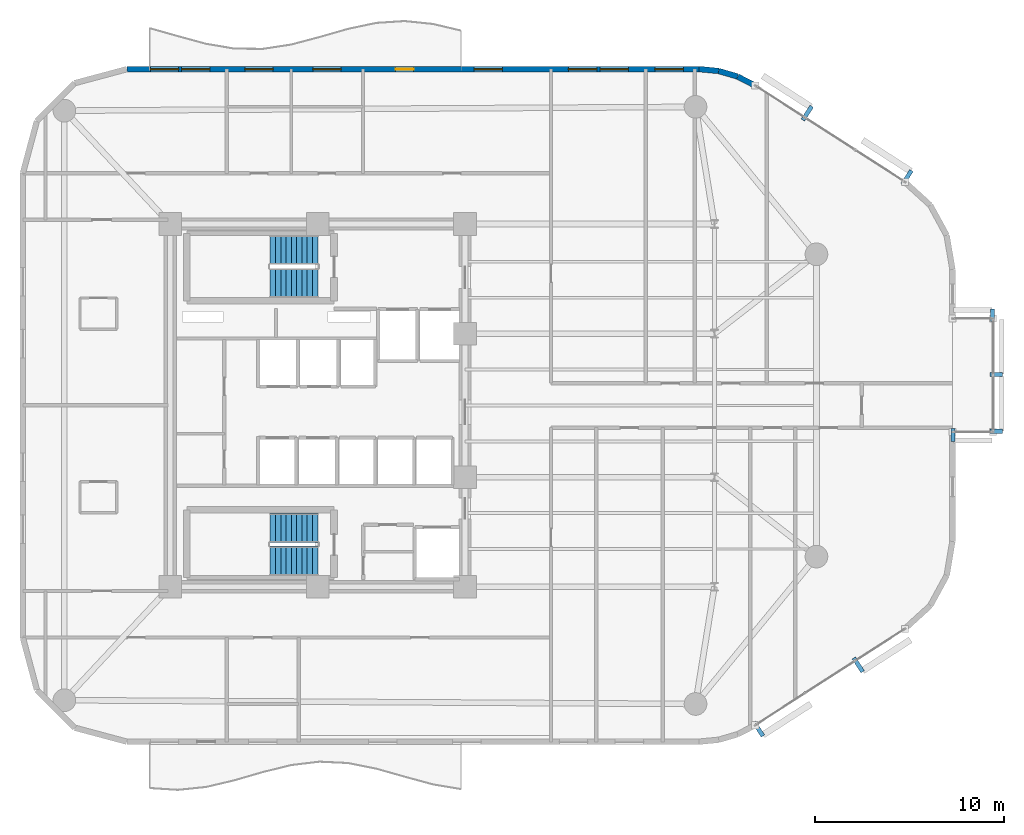
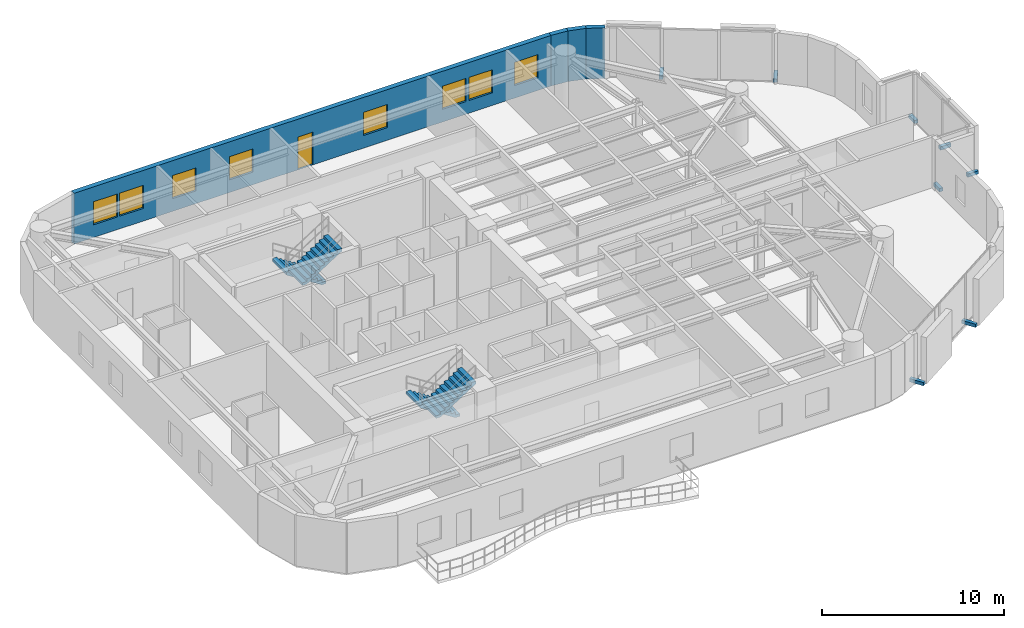
# One storey, part 11 of 13: 8 discrete accessories, 8 windows, 4 stair flights, 4 walls, 1 door, 9 openings, 2 elements without a shape of their own.
"""IFC4 building model written with IfcOpenShell, lengths in metres."""

from ifc_helpers import new_model, si_unit, direction, frame, frame_2d, origin, origin_2d, place, context, subcontext, project, spatial, polyline, rectangle, outline, extrude, material, layer, layer_set, type_object, element, fill, aggregate, save


model = new_model("IFC4")

# Units and contexts
model_context = context("Model", 3, precision=1e-05, world=origin(), true_north=direction((0.0, 1.0)))
body_context = subcontext(model_context, "Body", "Model", "MODEL_VIEW")
ifc_project = project(units=[si_unit("LENGTHUNIT", "METRE"), si_unit("AREAUNIT", "SQUARE_METRE"), si_unit("VOLUMEUNIT", "CUBIC_METRE"), si_unit("PLANEANGLEUNIT", "RADIAN"), si_unit("MASSUNIT", "GRAM", prefix="KILO")], contexts=[model_context])

# Site, building, storey
site_placement = place(None, origin())
site = spatial("IfcSite", under=ifc_project, at=site_placement, CompositionType="ELEMENT")
building_placement = place(site_placement, origin())
building = spatial("IfcBuilding", under=site, at=building_placement, Name="An Khanh Terracotta Commons", CompositionType="ELEMENT")
storey_placement = place(building_placement, frame((0.0, 0.0, 183.39990234375)))
storey = spatial("IfcBuildingStorey", under=building, at=storey_placement, Name="L48", CompositionType="ELEMENT", Elevation=183.39990234375)

# Walls
ifc_material_1 = material(Name="Precast concrete C40/50", Category="concrete")
ifc_layer = layer(ifc_material_1, 0.300048828125, Name="Precast concrete C40/50")
ifc_layer_set = layer_set([ifc_layer], Name="Precast concrete C40/50")
wall_type = type_object("IfcWallType", Name="WALL-EXT-300", PredefinedType="SOLIDWALL", material=ifc_layer_set)
wall_1_placement = place(storey_placement, frame((52.56005859375, 40.924072265625, 0.0), z_axis=(0.0, 0.0, 1.0), x_axis=(-0.888283247196, 0.459296062198, 0.0)))
element("IfcWall", 1, at=wall_1_placement, inside=storey, type_object=wall_type, Name="L48 Insulated Terracotta Exterior Wall 17", PredefinedType="SOLIDWALL", context=body_context, shape_type="SweptSolid", body=[
    extrude(rectangle(XDim=1.047119140625, YDim=0.300048828125, at=frame_2d((0.5234375, 0.0))), origin(), (0.0, 0.0, 1.0), 3.400146484375),
])
wall_2_placement = place(storey_placement, frame((51.6298828125, 41.405029296875, 0.0), z_axis=(0.0, 0.0, 1.0), x_axis=(-0.959528674476, 0.281610942363, 0.0)))
element("IfcWall", 2, at=wall_2_placement, inside=storey, type_object=wall_type, Name="L48 Insulated Terracotta Exterior Wall 18", PredefinedType="SOLIDWALL", context=body_context, shape_type="SweptSolid", body=[
    extrude(rectangle(XDim=1.04736328125, YDim=0.300048828125, at=frame_2d((0.523681640625, 0.0))), origin(), (0.0, 0.0, 1.0), 3.400146484375),
])
wall_3_placement = place(storey_placement, frame((50.625, 41.699951171875, 0.0), z_axis=(0.0, 0.0, 1.0), x_axis=(-0.995426089968, 0.095534807324, 0.0)))
element("IfcWall", 3, at=wall_3_placement, inside=storey, type_object=wall_type, Name="L48 Insulated Terracotta Exterior Wall 19", PredefinedType="SOLIDWALL", context=body_context, shape_type="SweptSolid", body=[
    extrude(rectangle(XDim=1.0478515625, YDim=0.300048828125, at=frame_2d((0.52392578125, 0.0))), origin(), (0.0, 0.0, 1.0), 3.400146484375),
])

# Wall, openings, door, windows
wall_4_placement = place(storey_placement, frame((49.58203125, 41.800048828125, 0.0), z_axis=(0.0, 0.0, 1.0), x_axis=(-1.0, 0.0, 0.0)))
wall_4 = element("IfcWall", 4, at=wall_4_placement, inside=storey, type_object=wall_type, Name="L48 Insulated Terracotta Exterior Wall 20", PredefinedType="SOLIDWALL", context=body_context, shape_type="SweptSolid", body=[
    extrude(rectangle(XDim=30.281982421875, YDim=0.300048828125, at=frame_2d((15.14111328125, 0.0))), origin(), (0.0, 0.0, 1.0), 3.400146484375),
])
opening_1_placement = place(wall_4_placement, frame((15.10693359375, 0.0, 0.0)))
opening_1 = element("IfcOpeningElement", 5, at=opening_1_placement, cuts=wall_4, Name="Opening D-BAL", PredefinedType="OPENING", context=body_context, shape_type="SweptSolid", body=[
    extrude(rectangle(XDim=0.949951171875, YDim=2.199951171875, at=frame_2d((0.47509765625, 1.10009765625))), frame((0.0, 0.159912109375, 0.0), z_axis=(0.0, -1.0, 0.0), x_axis=(1.0, 0.0, 0.0)), (0.0, 0.0, 1.0), 0.320068359375),
])
opening_2_placement = place(wall_4_placement, frame((0.827880859375, 0.0, 0.85009765625)))
opening_2 = element("IfcOpeningElement", 6, at=opening_2_placement, cuts=wall_4, Name="Opening W-03", PredefinedType="OPENING", context=body_context, shape_type="SweptSolid", body=[
    extrude(rectangle(XDim=1.5, YDim=1.550048828125, at=frame_2d((0.75, 0.77490234375))), frame((0.0, 0.159912109375, 0.0), z_axis=(0.0, -1.0, 0.0), x_axis=(1.0, 0.0, 0.0)), (0.0, 0.0, 1.0), 0.320068359375),
])
opening_3_placement = place(wall_4_placement, frame((3.73095703125, 0.0, 0.85009765625)))
opening_3 = element("IfcOpeningElement", 7, at=opening_3_placement, cuts=wall_4, Name="Opening W-03", PredefinedType="OPENING", context=body_context, shape_type="SweptSolid", body=[
    extrude(rectangle(XDim=1.5, YDim=1.550048828125, at=frame_2d((0.75, 0.77490234375))), frame((0.0, 0.159912109375, 0.0), z_axis=(0.0, -1.0, 0.0), x_axis=(1.0, 0.0, 0.0)), (0.0, 0.0, 1.0), 0.320068359375),
])
opening_4_placement = place(wall_4_placement, frame((5.406982421875, 0.0, 0.85009765625)))
opening_4 = element("IfcOpeningElement", 8, at=opening_4_placement, cuts=wall_4, Name="Opening W-03", PredefinedType="OPENING", context=body_context, shape_type="SweptSolid", body=[
    extrude(rectangle(XDim=1.5, YDim=1.550048828125, at=frame_2d((0.75, 0.77490234375))), frame((0.0, 0.159912109375, 0.0), z_axis=(0.0, -1.0, 0.0), x_axis=(1.0, 0.0, 0.0)), (0.0, 0.0, 1.0), 0.320068359375),
])
opening_5_placement = place(wall_4_placement, frame((10.39892578125, 0.0, 0.85009765625)))
opening_5 = element("IfcOpeningElement", 9, at=opening_5_placement, cuts=wall_4, Name="Opening W-03", PredefinedType="OPENING", context=body_context, shape_type="SweptSolid", body=[
    extrude(rectangle(XDim=1.5, YDim=1.550048828125, at=frame_2d((0.75, 0.77490234375))), frame((0.0, 0.159912109375, 0.0), z_axis=(0.0, -1.0, 0.0), x_axis=(1.0, 0.0, 0.0)), (0.0, 0.0, 1.0), 0.320068359375),
])
opening_6_placement = place(wall_4_placement, frame((18.931884765625, 0.0, 0.85009765625)))
opening_6 = element("IfcOpeningElement", 10, at=opening_6_placement, cuts=wall_4, Name="Opening W-03", PredefinedType="OPENING", context=body_context, shape_type="SweptSolid", body=[
    extrude(rectangle(XDim=1.5, YDim=1.550048828125, at=frame_2d((0.75, 0.77490234375))), frame((0.0, 0.159912109375, 0.0), z_axis=(0.0, -1.0, 0.0), x_axis=(1.0, 0.0, 0.0)), (0.0, 0.0, 1.0), 0.320068359375),
])
opening_7_placement = place(wall_4_placement, frame((22.531982421875, 0.0, 0.85009765625)))
opening_7 = element("IfcOpeningElement", 11, at=opening_7_placement, cuts=wall_4, Name="Opening W-03", PredefinedType="OPENING", context=body_context, shape_type="SweptSolid", body=[
    extrude(rectangle(XDim=1.5, YDim=1.550048828125, at=frame_2d((0.75, 0.77490234375))), frame((0.0, 0.159912109375, 0.0), z_axis=(0.0, -1.0, 0.0), x_axis=(1.0, 0.0, 0.0)), (0.0, 0.0, 1.0), 0.320068359375),
])
opening_8_placement = place(wall_4_placement, frame((25.882080078125, 0.0, 0.85009765625)))
opening_8 = element("IfcOpeningElement", 12, at=opening_8_placement, cuts=wall_4, Name="Opening W-03", PredefinedType="OPENING", context=body_context, shape_type="SweptSolid", body=[
    extrude(rectangle(XDim=1.5, YDim=1.550048828125, at=frame_2d((0.75, 0.77490234375))), frame((0.0, 0.159912109375, 0.0), z_axis=(0.0, -1.0, 0.0), x_axis=(1.0, 0.0, 0.0)), (0.0, 0.0, 1.0), 0.320068359375),
])
opening_9_placement = place(wall_4_placement, frame((27.531982421875, 0.0, 0.85009765625)))
opening_9 = element("IfcOpeningElement", 13, at=opening_9_placement, cuts=wall_4, Name="Opening W-03", PredefinedType="OPENING", context=body_context, shape_type="SweptSolid", body=[
    extrude(rectangle(XDim=1.5, YDim=1.550048828125, at=frame_2d((0.75, 0.77490234375))), frame((0.0, 0.159912109375, 0.0), z_axis=(0.0, -1.0, 0.0), x_axis=(1.0, 0.0, 0.0)), (0.0, 0.0, 1.0), 0.320068359375),
])
ifc_material_2 = material(Name="Thermally Broken Aluminium and Low-E Glass", Category="aluminium")
door_type = type_object("IfcDoorType", Name="DOOR-BALC-950", OperationType="NOTDEFINED", PredefinedType="DOOR", material=ifc_material_2)
door_placement = place(opening_1_placement, origin())
door = element("IfcDoor", 14, at=door_placement, inside=storey, type_object=door_type, Name="L48 N Wave Balcony Glazed Door", OperationType="SINGLE_SWING_RIGHT", OverallHeight=2.199951171875, OverallWidth=0.949951171875, PredefinedType="DOOR", context=body_context, shape_type="SweptSolid", body=[
    extrude(rectangle(XDim=0.949951171875, YDim=2.199951171875, at=frame_2d((0.47509765625, 1.10009765625))), frame((0.0, 0.02490234375, 0.0), z_axis=(0.0, -1.0, 0.0), x_axis=(1.0, 0.0, 0.0)), (0.0, 0.0, 1.0), 0.050048828125),
])
fill(opening_1, door)
window_type = type_object("IfcWindowType", Name="WIN-Z3-1500x1550", PartitioningType="DOUBLE_PANEL_VERTICAL", PredefinedType="WINDOW", material=ifc_material_2)
window_1_placement = place(opening_2_placement, origin())
window_1 = element("IfcWindow", 15, at=window_1_placement, inside=storey, type_object=window_type, Name="L48 Operable Casement Window 20.1", OverallHeight=1.550048828125, OverallWidth=1.5, PartitioningType="DOUBLE_PANEL_VERTICAL", PredefinedType="WINDOW", context=body_context, shape_type="SweptSolid", body=[
    extrude(rectangle(XDim=1.5, YDim=1.550048828125, at=frame_2d((0.75, 0.77490234375))), frame((0.0, 0.030029296875, 0.0), z_axis=(0.0, -1.0, 0.0), x_axis=(1.0, 0.0, 0.0)), (0.0, 0.0, 1.0), 0.06005859375),
])
fill(opening_2, window_1)
window_2_placement = place(opening_3_placement, origin())
window_2 = element("IfcWindow", 16, at=window_2_placement, inside=storey, type_object=window_type, Name="L48 Operable Casement Window 20.2", OverallHeight=1.550048828125, OverallWidth=1.5, PartitioningType="DOUBLE_PANEL_VERTICAL", PredefinedType="WINDOW", context=body_context, shape_type="SweptSolid", body=[
    extrude(rectangle(XDim=1.5, YDim=1.550048828125, at=frame_2d((0.75, 0.77490234375))), frame((0.0, 0.030029296875, 0.0), z_axis=(0.0, -1.0, 0.0), x_axis=(1.0, 0.0, 0.0)), (0.0, 0.0, 1.0), 0.06005859375),
])
fill(opening_3, window_2)
window_3_placement = place(opening_4_placement, origin())
window_3 = element("IfcWindow", 17, at=window_3_placement, inside=storey, type_object=window_type, Name="L48 Operable Casement Window 20.3", OverallHeight=1.550048828125, OverallWidth=1.5, PartitioningType="DOUBLE_PANEL_VERTICAL", PredefinedType="WINDOW", context=body_context, shape_type="SweptSolid", body=[
    extrude(rectangle(XDim=1.5, YDim=1.550048828125, at=frame_2d((0.75, 0.77490234375))), frame((0.0, 0.030029296875, 0.0), z_axis=(0.0, -1.0, 0.0), x_axis=(1.0, 0.0, 0.0)), (0.0, 0.0, 1.0), 0.06005859375),
])
fill(opening_4, window_3)
window_4_placement = place(opening_5_placement, origin())
window_4 = element("IfcWindow", 18, at=window_4_placement, inside=storey, type_object=window_type, Name="L48 Operable Casement Window 20.4", OverallHeight=1.550048828125, OverallWidth=1.5, PartitioningType="DOUBLE_PANEL_VERTICAL", PredefinedType="WINDOW", context=body_context, shape_type="SweptSolid", body=[
    extrude(rectangle(XDim=1.5, YDim=1.550048828125, at=frame_2d((0.75, 0.77490234375))), frame((0.0, 0.030029296875, 0.0), z_axis=(0.0, -1.0, 0.0), x_axis=(1.0, 0.0, 0.0)), (0.0, 0.0, 1.0), 0.06005859375),
])
fill(opening_5, window_4)
window_5_placement = place(opening_6_placement, origin())
window_5 = element("IfcWindow", 19, at=window_5_placement, inside=storey, type_object=window_type, Name="L48 Operable Casement Window 20.5", OverallHeight=1.550048828125, OverallWidth=1.5, PartitioningType="DOUBLE_PANEL_VERTICAL", PredefinedType="WINDOW", context=body_context, shape_type="SweptSolid", body=[
    extrude(rectangle(XDim=1.5, YDim=1.550048828125, at=frame_2d((0.75, 0.77490234375))), frame((0.0, 0.030029296875, 0.0), z_axis=(0.0, -1.0, 0.0), x_axis=(1.0, 0.0, 0.0)), (0.0, 0.0, 1.0), 0.06005859375),
])
fill(opening_6, window_5)
window_6_placement = place(opening_7_placement, origin())
window_6 = element("IfcWindow", 20, at=window_6_placement, inside=storey, type_object=window_type, Name="L48 Operable Casement Window 20.6", OverallHeight=1.550048828125, OverallWidth=1.5, PartitioningType="DOUBLE_PANEL_VERTICAL", PredefinedType="WINDOW", context=body_context, shape_type="SweptSolid", body=[
    extrude(rectangle(XDim=1.5, YDim=1.550048828125, at=frame_2d((0.75, 0.77490234375))), frame((0.0, 0.030029296875, 0.0), z_axis=(0.0, -1.0, 0.0), x_axis=(1.0, 0.0, 0.0)), (0.0, 0.0, 1.0), 0.06005859375),
])
fill(opening_7, window_6)
window_7_placement = place(opening_8_placement, origin())
window_7 = element("IfcWindow", 21, at=window_7_placement, inside=storey, type_object=window_type, Name="L48 Operable Casement Window 20.7", OverallHeight=1.550048828125, OverallWidth=1.5, PartitioningType="DOUBLE_PANEL_VERTICAL", PredefinedType="WINDOW", context=body_context, shape_type="SweptSolid", body=[
    extrude(rectangle(XDim=1.5, YDim=1.550048828125, at=frame_2d((0.75, 0.77490234375))), frame((0.0, 0.030029296875, 0.0), z_axis=(0.0, -1.0, 0.0), x_axis=(1.0, 0.0, 0.0)), (0.0, 0.0, 1.0), 0.06005859375),
])
fill(opening_8, window_7)
window_8_placement = place(opening_9_placement, origin())
window_8 = element("IfcWindow", 22, at=window_8_placement, inside=storey, type_object=window_type, Name="L48 Operable Casement Window 20.8", OverallHeight=1.550048828125, OverallWidth=1.5, PartitioningType="DOUBLE_PANEL_VERTICAL", PredefinedType="WINDOW", context=body_context, shape_type="SweptSolid", body=[
    extrude(rectangle(XDim=1.5, YDim=1.550048828125, at=frame_2d((0.75, 0.77490234375))), frame((0.0, 0.030029296875, 0.0), z_axis=(0.0, -1.0, 0.0), x_axis=(1.0, 0.0, 0.0)), (0.0, 0.0, 1.0), 0.06005859375),
])
fill(opening_9, window_8)

# Stair, stair flights
stair_type = type_object("IfcStairType", Name="STAIR-CORE-1550", PredefinedType="HALF_TURN_STAIR", material=ifc_material_1)
stair_1_placement = place(storey_placement, origin())
stair_1 = element("IfcStair", 23, at=stair_1_placement, inside=storey, type_object=stair_type, Name="L48 Core Smokeproof Exit Stair ST-01", PredefinedType="HALF_TURN_STAIR")
stair_flight_type = type_object("IfcStairFlightType", Name="FLIGHT-CORE-1550", PredefinedType="STRAIGHT", material=ifc_material_1)
stair_flight_1_placement = place(storey_placement, frame((29.409912109375, 32.22509765625, 0.0), z_axis=(0.0, 0.0, 1.0), x_axis=(-1.0, 0.0, 0.0)))
stair_flight_1 = element("IfcStairFlight", 24, at=stair_flight_1_placement, type_object=stair_flight_type, Name="ST-01 flight 1", NumberOfRisers=10, NumberOfTreads=9, PredefinedType="STRAIGHT", RiserHeight=0.18, TreadLength=0.28, context=body_context, shape_type="SweptSolid", body=[
    extrude(outline(polyline([(0.0, 0.0), (0.0, 0.179931640625), (0.280029296875, 0.179931640625), (0.280029296875, 0.360107421875), (0.56005859375, 0.360107421875), (0.56005859375, 0.5400390625), (0.840087890625, 0.5400390625), (0.840087890625, 0.719970703125), (1.1201171875, 0.719970703125), (1.1201171875, 0.89990234375), (1.39990234375, 0.89990234375), (1.39990234375, 1.080078125), (1.679931640625, 1.080078125), (1.679931640625, 1.260009765625), (1.9599609375, 1.260009765625), (1.9599609375, 1.43994140625), (2.239990234375, 1.43994140625), (2.239990234375, 1.6201171875), (2.52001953125, 1.6201171875), (2.52001953125, 1.800048828125), (2.52001953125, 1.44189453125), (0.277099609375, 0.0), (0.0, 0.0)])), frame((0.0, 0.77490234375, 0.0), z_axis=(0.0, -1.0, 0.0), x_axis=(1.0, 0.0, 0.0)), (0.0, 0.0, 1.0), 1.550048828125),
])
stair_flight_2_placement = place(storey_placement, frame((26.889892578125, 30.47509765625, 1.800048828125), z_axis=(0.0, 0.0, 1.0), x_axis=(1.0, 0.0, 0.0)))
stair_flight_2 = element("IfcStairFlight", 25, at=stair_flight_2_placement, type_object=stair_flight_type, Name="ST-01 flight 2", NumberOfRisers=10, NumberOfTreads=9, PredefinedType="STRAIGHT", RiserHeight=0.18, TreadLength=0.28, context=body_context, shape_type="SweptSolid", body=[
    extrude(outline(polyline([(0.0, 0.0), (0.0, 0.179931640625), (0.280029296875, 0.179931640625), (0.280029296875, 0.360107421875), (0.56005859375, 0.360107421875), (0.56005859375, 0.5400390625), (0.840087890625, 0.5400390625), (0.840087890625, 0.719970703125), (1.1201171875, 0.719970703125), (1.1201171875, 0.89990234375), (1.39990234375, 0.89990234375), (1.39990234375, 1.080078125), (1.679931640625, 1.080078125), (1.679931640625, 1.260009765625), (1.9599609375, 1.260009765625), (1.9599609375, 1.43994140625), (2.239990234375, 1.43994140625), (2.239990234375, 1.6201171875), (2.52001953125, 1.6201171875), (2.52001953125, 1.800048828125), (2.52001953125, 1.44189453125), (0.277099609375, 0.0), (0.0, 0.0)])), frame((0.0, 0.77490234375, 0.0), z_axis=(0.0, -1.0, 0.0), x_axis=(1.0, 0.0, 0.0)), (0.0, 0.0, 1.0), 1.550048828125),
])
aggregate(stair_1, [stair_flight_1, stair_flight_2])

stair_2_placement = place(storey_placement, origin())
stair_2 = element("IfcStair", 26, at=stair_2_placement, inside=storey, type_object=stair_type, Name="L48 Core Smokeproof Exit Stair ST-02", PredefinedType="HALF_TURN_STAIR")
stair_flight_3_placement = place(storey_placement, frame((29.409912109375, 17.52490234375, 0.0), z_axis=(0.0, 0.0, 1.0), x_axis=(-1.0, 0.0, 0.0)))
stair_flight_3 = element("IfcStairFlight", 27, at=stair_flight_3_placement, type_object=stair_flight_type, Name="ST-02 flight 1", NumberOfRisers=10, NumberOfTreads=9, PredefinedType="STRAIGHT", RiserHeight=0.18, TreadLength=0.28, context=body_context, shape_type="SweptSolid", body=[
    extrude(outline(polyline([(0.0, 0.0), (0.0, 0.179931640625), (0.280029296875, 0.179931640625), (0.280029296875, 0.360107421875), (0.56005859375, 0.360107421875), (0.56005859375, 0.5400390625), (0.840087890625, 0.5400390625), (0.840087890625, 0.719970703125), (1.1201171875, 0.719970703125), (1.1201171875, 0.89990234375), (1.39990234375, 0.89990234375), (1.39990234375, 1.080078125), (1.679931640625, 1.080078125), (1.679931640625, 1.260009765625), (1.9599609375, 1.260009765625), (1.9599609375, 1.43994140625), (2.239990234375, 1.43994140625), (2.239990234375, 1.6201171875), (2.52001953125, 1.6201171875), (2.52001953125, 1.800048828125), (2.52001953125, 1.44189453125), (0.277099609375, 0.0), (0.0, 0.0)])), frame((0.0, 0.77490234375, 0.0), z_axis=(0.0, -1.0, 0.0), x_axis=(1.0, 0.0, 0.0)), (0.0, 0.0, 1.0), 1.550048828125),
])
stair_flight_4_placement = place(storey_placement, frame((26.889892578125, 15.77490234375, 1.800048828125), z_axis=(0.0, 0.0, 1.0), x_axis=(1.0, 0.0, 0.0)))
stair_flight_4 = element("IfcStairFlight", 28, at=stair_flight_4_placement, type_object=stair_flight_type, Name="ST-02 flight 2", NumberOfRisers=10, NumberOfTreads=9, PredefinedType="STRAIGHT", RiserHeight=0.18, TreadLength=0.28, context=body_context, shape_type="SweptSolid", body=[
    extrude(outline(polyline([(0.0, 0.0), (0.0, 0.179931640625), (0.280029296875, 0.179931640625), (0.280029296875, 0.360107421875), (0.56005859375, 0.360107421875), (0.56005859375, 0.5400390625), (0.840087890625, 0.5400390625), (0.840087890625, 0.719970703125), (1.1201171875, 0.719970703125), (1.1201171875, 0.89990234375), (1.39990234375, 0.89990234375), (1.39990234375, 1.080078125), (1.679931640625, 1.080078125), (1.679931640625, 1.260009765625), (1.9599609375, 1.260009765625), (1.9599609375, 1.43994140625), (2.239990234375, 1.43994140625), (2.239990234375, 1.6201171875), (2.52001953125, 1.6201171875), (2.52001953125, 1.800048828125), (2.52001953125, 1.44189453125), (0.277099609375, 0.0), (0.0, 0.0)])), frame((0.0, 0.77490234375, 0.0), z_axis=(0.0, -1.0, 0.0), x_axis=(1.0, 0.0, 0.0)), (0.0, 0.0, 1.0), 1.550048828125),
])
aggregate(stair_2, [stair_flight_3, stair_flight_4])

# Discrete accessories
ifc_material_3 = material(Name="Stainless Steel Grade 316L", Category="steel")
discrete_accessory_type = type_object("IfcDiscreteAccessoryType", Name="Stainless Outrigger Facade Bracket", PredefinedType="BRACKET", material=ifc_material_3)
for number, where, z_axis, x_axis, name in (
    (29, (52.73291015625, 6.8720703125, 0.0703125), (0.0, 0.0, 1.0), (0.840702081986, 0.541497931062, 0.0), "L48 Terracotta Screen Outrigger Bracket 1"),
    (30, (58.011962890625, 10.27197265625, 0.0703125), (0.0, 0.0, 1.0), (0.840702081986, 0.541497931062, 0.0), "L48 Terracotta Screen Outrigger Bracket 3"),
):
    element("IfcDiscreteAccessory", number, at=place(storey_placement, frame(where, z_axis=z_axis, x_axis=x_axis)), inside=storey, type_object=discrete_accessory_type, Name=name, PredefinedType="BRACKET", context=body_context, shape_type="SweptSolid", body=[
        extrude(rectangle(XDim=0.219970703125, YDim=0.8701171875, at=origin_2d()), origin(), (0.0, 0.0, 1.0), 0.219970703125),
    ])
for number, where, z_axis, x_axis, name in (
    (31, (65.31494140625, 22.633056640625, 0.0703125), (0.0, 0.0, 1.0), (0.0, 1.0, 0.0), "L48 Terracotta Screen Outrigger Bracket 1"),
    (32, (65.31494140625, 25.633056640625, 0.0703125), (0.0, 0.0, 1.0), (0.0, 1.0, 0.0), "L48 Terracotta Screen Outrigger Bracket 2"),
    (33, (63.031982421875, 22.43505859375, 0.0703125), (0.0, 0.0, 1.0), (1.0, 0.0, 0.0), "L48 Terracotta Screen Outrigger Bracket 1"),
    (34, (65.117919921875, 28.764892578125, 0.0703125), (0.0, 0.0, 1.0), (-1.0, 0.0, 0.0), "L48 Terracotta Screen Outrigger Bracket 1"),
):
    element("IfcDiscreteAccessory", number, at=place(storey_placement, frame(where, z_axis=z_axis, x_axis=x_axis)), inside=storey, type_object=discrete_accessory_type, Name=name, PredefinedType="BRACKET", context=body_context, shape_type="SweptSolid", body=[
        extrude(rectangle(XDim=0.219970703125, YDim=0.669921875, at=origin_2d()), origin(), (0.0, 0.0, 1.0), 0.219970703125),
    ])
for number, where, z_axis, x_axis, name in (
    (35, (60.592041015625, 36.06591796875, 0.0703125), (0.0, 0.0, 1.0), (-0.840702081986, 0.541497931062, 0.0), "L48 Terracotta Screen Outrigger Bracket 1"),
    (36, (55.31298828125, 39.466064453125, 0.0703125), (0.0, 0.0, 1.0), (-0.840702081986, 0.541497931062, 0.0), "L48 Terracotta Screen Outrigger Bracket 3"),
):
    element("IfcDiscreteAccessory", number, at=place(storey_placement, frame(where, z_axis=z_axis, x_axis=x_axis)), inside=storey, type_object=discrete_accessory_type, Name=name, PredefinedType="BRACKET", context=body_context, shape_type="SweptSolid", body=[
        extrude(rectangle(XDim=0.219970703125, YDim=0.8701171875, at=origin_2d()), origin(), (0.0, 0.0, 1.0), 0.219970703125),
    ])

save(model, "model.ifc")
